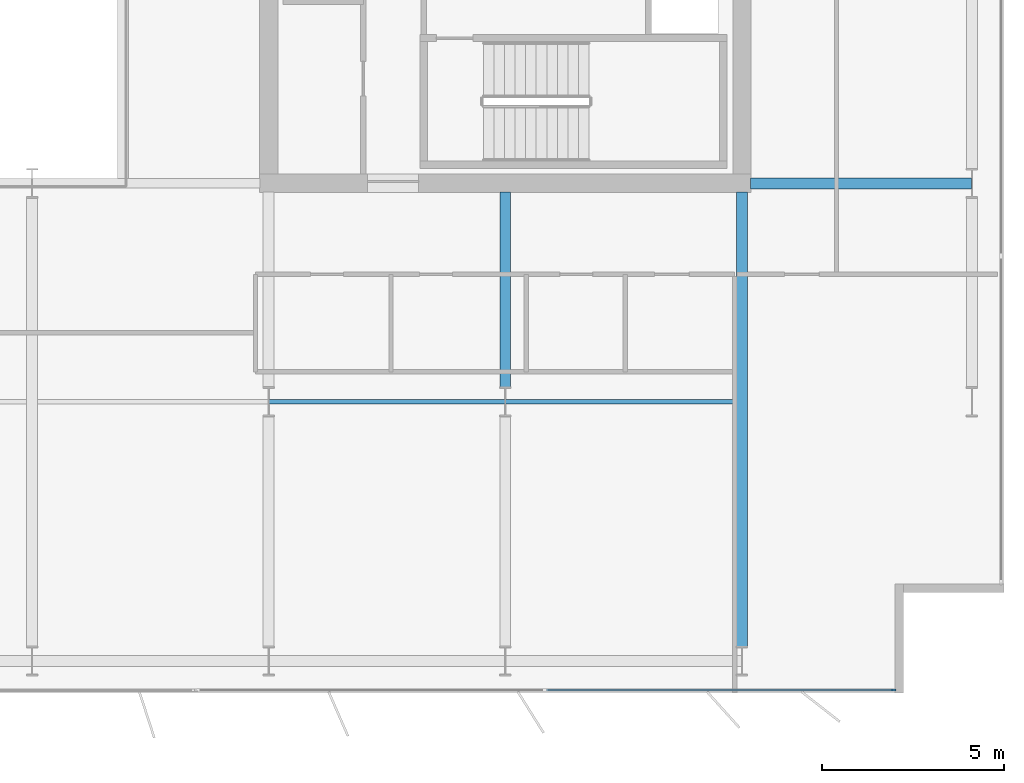
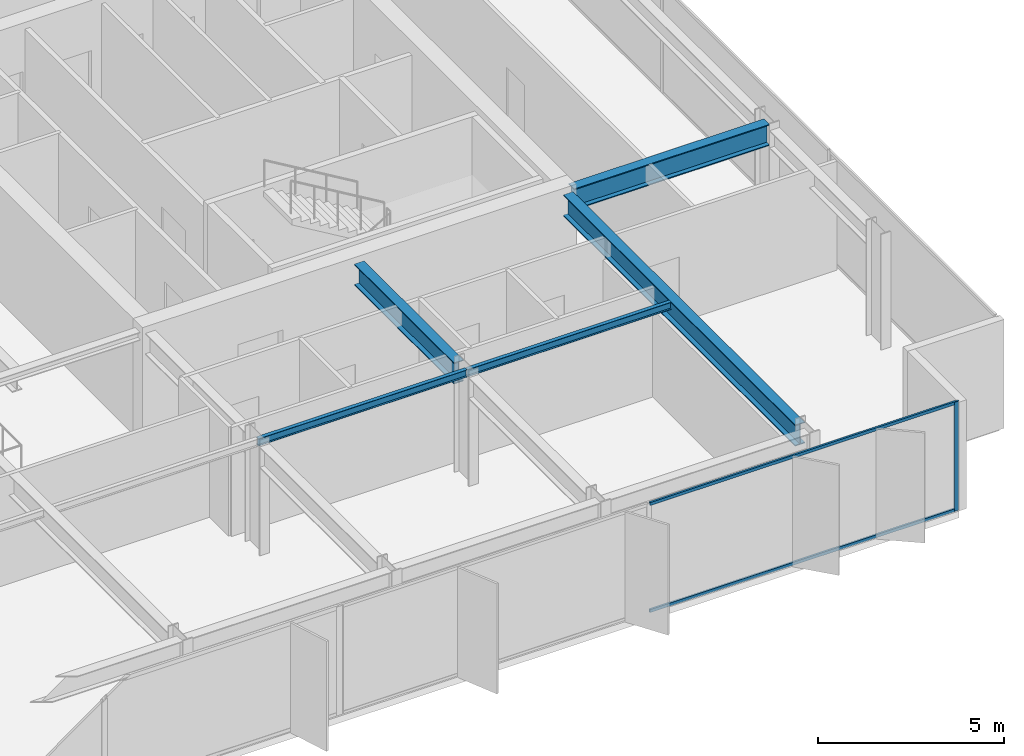
# One storey, part 8 of 23: 5 beams, 3 members, 1 element without a shape of its own.
"""IFC4 building model written with IfcOpenShell, lengths in metres."""

from ifc_helpers import new_model, si_unit, direction, frame, origin, origin_2d, place, context, subcontext, project, spatial, rectangle, i_section, extrude, material, layer, layer_set, material_profile, profile_set, type_object, element, aggregate, save


model = new_model("IFC4")

# Units and contexts
model_context = context("Model", 3, precision=1e-05, world=origin(), true_north=direction((0.0, 1.0)))
body_context = subcontext(model_context, "Body", "Model", "MODEL_VIEW")
ifc_project = project(units=[si_unit("LENGTHUNIT", "METRE"), si_unit("AREAUNIT", "SQUARE_METRE"), si_unit("VOLUMEUNIT", "CUBIC_METRE"), si_unit("PLANEANGLEUNIT", "RADIAN"), si_unit("MASSUNIT", "GRAM", prefix="KILO")], contexts=[model_context])

# Site, building, storey
site_placement = place(None, origin())
site = spatial("IfcSite", under=ifc_project, at=site_placement, CompositionType="ELEMENT")
building_placement = place(site_placement, origin())
building = spatial("IfcBuilding", under=site, at=building_placement, Name="Putna Gate Headquarters", CompositionType="ELEMENT")
storey_placement = place(building_placement, frame((0.0, 0.0, 221.39990234375)))
storey = spatial("IfcBuildingStorey", under=building, at=storey_placement, Name="L55", CompositionType="ELEMENT", Elevation=221.39990234375)

# Beams
ifc_material_1 = material(Name="Steel S355J2", Category="steel")
ifc_material_profile_1 = material_profile(ifc_material_1, i_section(OverallWidth=0.300048828125, OverallDepth=0.699951171875, WebThickness=0.01708984375, FlangeThickness=0.031982421875, at=origin_2d()), Name="Steel S355J2")
ifc_profile_set_1 = profile_set([ifc_material_profile_1], Name="Steel S355J2")
beam_type_1 = type_object("IfcBeamType", Name="BM-GIRD-B-HEB700", PredefinedType="USERDEFINED", material=ifc_profile_set_1)
beam_1_placement = place(storey_placement, frame((65.235107421875, 19.0, 3.22998046875), z_axis=(1.0, 0.0, 0.0), x_axis=(0.0, 1.0, 0.0)))
element("IfcBeam", 1, at=beam_1_placement, inside=storey, type_object=beam_type_1, Name="L55 East Wing Girder Y19", ObjectType="GIRDER", PredefinedType="USERDEFINED", context=body_context, shape_type="SweptSolid", body=[
    extrude(i_section(OverallWidth=0.300048828125, OverallDepth=0.699951171875, WebThickness=0.01708984375, FlangeThickness=0.031982421875, at=origin_2d()), origin(), (0.0, 0.0, 1.0), 6.078857421875),
])
beam_2_placement = place(storey_placement, frame((58.5, 13.39501953125, 3.22998046875), z_axis=(0.0, 1.0, 0.0), x_axis=(-1.0, 0.0, 0.0)))
element("IfcBeam", 2, at=beam_2_placement, inside=storey, type_object=beam_type_1, Name="L55 South Primary Girder X58-2", ObjectType="GIRDER", PredefinedType="USERDEFINED", context=body_context, shape_type="SweptSolid", body=[
    extrude(i_section(OverallWidth=0.300048828125, OverallDepth=0.699951171875, WebThickness=0.01708984375, FlangeThickness=0.031982421875, at=origin_2d()), origin(), (0.0, 0.0, 1.0), 5.369873046875),
])
beam_3_placement = place(storey_placement, frame((65.0, 6.27490234375, 3.22998046875), z_axis=(0.0, 1.0, 0.0), x_axis=(-1.0, 0.0, 0.0)))
element("IfcBeam", 3, at=beam_3_placement, inside=storey, type_object=beam_type_1, Name="L55 South Primary Girder X65", ObjectType="GIRDER", PredefinedType="USERDEFINED", context=body_context, shape_type="SweptSolid", body=[
    extrude(i_section(OverallWidth=0.300048828125, OverallDepth=0.699951171875, WebThickness=0.01708984375, FlangeThickness=0.031982421875, at=origin_2d()), origin(), (0.0, 0.0, 1.0), 12.489990234375),
])
ifc_material_profile_2 = material_profile(ifc_material_1, i_section(OverallWidth=0.1201171875, OverallDepth=0.239990234375, WebThickness=0.006103515625, FlangeThickness=0.009765625, at=origin_2d()), Name="Steel S355J2")
ifc_profile_set_2 = profile_set([ifc_material_profile_2], Name="Steel S355J2")
beam_type_2 = type_object("IfcBeamType", Name="BM-SEC-Z4-IPE240", PredefinedType="JOIST", material=ifc_profile_set_2)
beam_4_placement = place(storey_placement, frame((52.006103515625, 13.0, 3.460205078125), z_axis=(1.0, 0.0, 0.0), x_axis=(0.0, 1.0, 0.0)))
element("IfcBeam", 4, at=beam_4_placement, inside=storey, type_object=beam_type_2, Name="L55 South Secondary Beam 7", PredefinedType="JOIST", context=body_context, shape_type="SweptSolid", body=[
    extrude(i_section(OverallWidth=0.1201171875, OverallDepth=0.239990234375, WebThickness=0.006103515625, FlangeThickness=0.009765625, at=origin_2d()), origin(), (0.0, 0.0, 1.0), 6.48779296875),
])
beam_5_placement = place(storey_placement, frame((58.506103515625, 13.0, 3.460205078125), z_axis=(1.0, 0.0, 0.0), x_axis=(0.0, 1.0, 0.0)))
element("IfcBeam", 5, at=beam_5_placement, inside=storey, type_object=beam_type_2, Name="L55 South Secondary Beam 8", PredefinedType="JOIST", context=body_context, shape_type="SweptSolid", body=[
    extrude(i_section(OverallWidth=0.1201171875, OverallDepth=0.239990234375, WebThickness=0.006103515625, FlangeThickness=0.009765625, at=origin_2d()), origin(), (0.0, 0.0, 1.0), 6.33984375),
])

# Curtain wall, members
ifc_material_2 = material(Name="Anodised bronze aluminium curtain wall", Category="aluminium")
ifc_layer = layer(ifc_material_2, 0.139892578125)
ifc_layer_set = layer_set([ifc_layer], Name="Anodised bronze aluminium curtain wall")
curtain_wall_type = type_object("IfcCurtainWallType", Name="CW-SYS-Z4", PredefinedType="USERDEFINED", material=ifc_layer_set)
curtain_wall_placement = place(storey_placement, origin())
curtain_wall = element("IfcCurtainWall", 6, at=curtain_wall_placement, inside=storey, type_object=curtain_wall_type, Name="L55 South East Curtain Wall", ObjectType="STICK CURTAIN WALL", PredefinedType="USERDEFINED")
ifc_material_3 = material(Name="Anodised bronze aluminium EN AW-6060", Category="aluminium")
ifc_material_profile_3 = material_profile(ifc_material_3, rectangle(XDim=0.06005859375, YDim=0.139892578125, at=origin_2d()), Name="Anodised bronze aluminium EN AW-6060")
ifc_profile_set_3 = profile_set([ifc_material_profile_3], Name="Anodised bronze aluminium EN AW-6060")
member_type_1 = type_object("IfcMemberType", Name="MULL-CWM-4", PredefinedType="MULLION", material=ifc_profile_set_3)
member_1_placement = place(storey_placement, frame((69.169921875, 5.080078125, 0.0), z_axis=(0.0, 0.0, 1.0), x_axis=(0.0, 1.0, 0.0)))
member_1 = element("IfcMember", 7, at=member_1_placement, type_object=member_type_1, Name="CWS-4 mullion 3", PredefinedType="MULLION", context=body_context, shape_type="SweptSolid", body=[
    extrude(rectangle(XDim=0.06005859375, YDim=0.139892578125, at=origin_2d()), origin(), (0.0, 0.0, 1.0), 3.580078125),
])
ifc_material_profile_4 = material_profile(ifc_material_3, rectangle(XDim=0.06005859375, YDim=0.10009765625, at=origin_2d()), Name="Anodised bronze aluminium EN AW-6060")
ifc_profile_set_4 = profile_set([ifc_material_profile_4], Name="Anodised bronze aluminium EN AW-6060")
member_type_2 = type_object("IfcMemberType", Name="TRAN-CWT-4", PredefinedType="USERDEFINED", material=ifc_profile_set_4)
member_2_placement = place(storey_placement, frame((59.6298828125, 5.080078125, 0.030029296875), z_axis=(1.0, 0.0, 0.0), x_axis=(0.0, 1.0, 0.0)))
member_2 = element("IfcMember", 8, at=member_2_placement, type_object=member_type_2, Name="CWS-4 transom 2.1", ObjectType="TRANSOM", PredefinedType="USERDEFINED", context=body_context, shape_type="SweptSolid", body=[
    extrude(rectangle(XDim=0.06005859375, YDim=0.10009765625, at=origin_2d()), origin(), (0.0, 0.0, 1.0), 9.510009765625),
])
member_3_placement = place(storey_placement, frame((59.6298828125, 5.080078125, 3.550048828125), z_axis=(1.0, 0.0, 0.0), x_axis=(0.0, 1.0, 0.0)))
member_3 = element("IfcMember", 9, at=member_3_placement, type_object=member_type_2, Name="CWS-4 transom 2.2", ObjectType="TRANSOM", PredefinedType="USERDEFINED", context=body_context, shape_type="SweptSolid", body=[
    extrude(rectangle(XDim=0.06005859375, YDim=0.10009765625, at=origin_2d()), origin(), (0.0, 0.0, 1.0), 9.510009765625),
])
aggregate(curtain_wall, [member_1, member_2, member_3])

save(model, "model.ifc")
